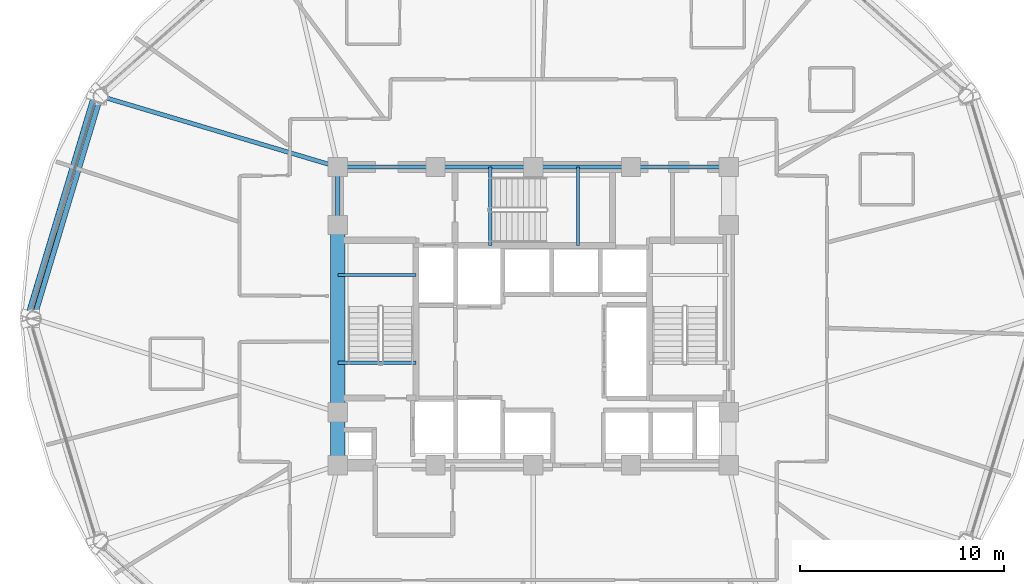
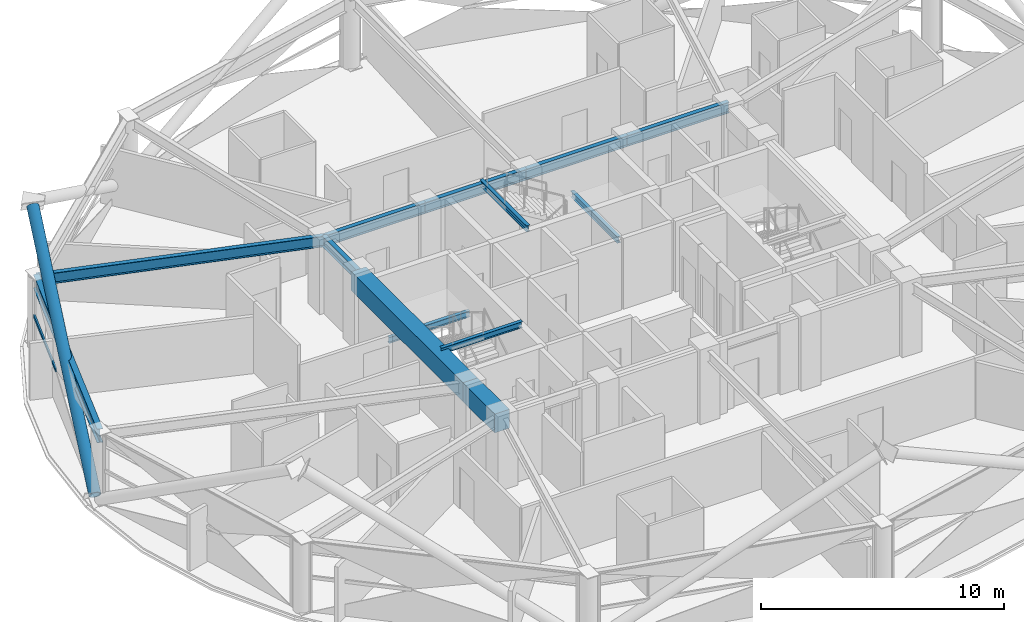
# One storey, part 7 of 29: 13 beams, 2 members, 1 element without a shape of its own.
"""IFC4 building model written with IfcOpenShell, lengths in metres."""

from ifc_helpers import new_model, si_unit, direction, frame, origin, origin_2d, place, context, subcontext, project, spatial, rectangle, hollow_rectangle, hollow_circle, i_section, extrude, material, layer, layer_set, material_profile, profile_set, type_object, element, aggregate, save


model = new_model("IFC4")

# Units and contexts
model_context = context("Model", 3, precision=1e-05, world=origin(), true_north=direction((0.0, 1.0)))
body_context = subcontext(model_context, "Body", "Model", "MODEL_VIEW")
ifc_project = project(units=[si_unit("LENGTHUNIT", "METRE"), si_unit("AREAUNIT", "SQUARE_METRE"), si_unit("VOLUMEUNIT", "CUBIC_METRE"), si_unit("PLANEANGLEUNIT", "RADIAN"), si_unit("MASSUNIT", "GRAM", prefix="KILO")], contexts=[model_context])

# Site, building, storey
site_placement = place(None, origin())
site = spatial("IfcSite", under=ifc_project, at=site_placement, CompositionType="ELEMENT")
building_placement = place(site_placement, origin())
building = spatial("IfcBuilding", under=site, at=building_placement, Name="Vantalir Tower", CompositionType="ELEMENT")
storey_placement = place(building_placement, frame((0.0, 0.0, 164.699951171875)))
storey = spatial("IfcBuildingStorey", under=building, at=storey_placement, Name="L41", CompositionType="ELEMENT", Elevation=164.699951171875)

# Beams
ifc_material_1 = material(Name="Concrete C60/75", Category="concrete")
ifc_material_profile_1 = material_profile(ifc_material_1, rectangle(XDim=0.699951171875, YDim=0.949951171875, at=origin_2d()), Name="Concrete C60/75")
ifc_profile_set_1 = profile_set([ifc_material_profile_1], Name="Concrete C60/75")
beam_type_1 = type_object("IfcBeamType", Name="BM-CB-700x950", PredefinedType="USERDEFINED", material=ifc_profile_set_1)
beam_1_placement = place(storey_placement, frame((21.89990234375, 29.60009765625, 3.094970703125), z_axis=(0.0, -1.0, 0.0), x_axis=(1.0, 0.0, 0.0)))
element("IfcBeam", 1, at=beam_1_placement, inside=storey, type_object=beam_type_1, Name="L41 Core Coupling Girder 13", ObjectType="GIRDER", PredefinedType="USERDEFINED", context=body_context, shape_type="SweptSolid", body=[
    extrude(rectangle(XDim=0.699951171875, YDim=0.949951171875, at=origin_2d()), origin(), (0.0, 0.0, 1.0), 9.2001953125),
])
beam_2_placement = place(storey_placement, frame((21.89990234375, 20.39990234375, 3.094970703125), z_axis=(0.0, -1.0, 0.0), x_axis=(1.0, 0.0, 0.0)))
element("IfcBeam", 2, at=beam_2_placement, inside=storey, type_object=beam_type_1, Name="L41 Core Coupling Girder 14", ObjectType="GIRDER", PredefinedType="USERDEFINED", context=body_context, shape_type="SweptSolid", body=[
    extrude(rectangle(XDim=0.699951171875, YDim=0.949951171875, at=origin_2d()), origin(), (0.0, 0.0, 1.0), 2.599853515625),
])
ifc_material_2 = material(Name="Steel S355", Category="steel")
ifc_material_profile_2 = material_profile(ifc_material_2, i_section(OverallWidth=0.166015625, OverallDepth=0.306884765625, WebThickness=0.006591796875, FlangeThickness=0.01171875, at=origin_2d()), Name="Steel S355")
ifc_profile_set_2 = profile_set([ifc_material_profile_2], Name="Steel S355")
beam_type_2 = type_object("IfcBeamType", Name="BM-JS-305x165", PredefinedType="JOIST", material=ifc_profile_set_2)
for number, where, z_axis, x_axis, name in (
    (3, (21.89990234375, 22.8349609375, 3.595947265625), (1.0, 0.0, 0.0), (0.0, 1.0, 0.0), "L42 Stair ST1 Well Nosing Trimmer Beam"),
    (4, (21.89990234375, 27.14501953125, 1.52197265625), (1.0, 0.0, 0.0), (0.0, 1.0, 0.0), "L41 Stair ST1 Half-Landing Support Beam"),
):
    element("IfcBeam", number, at=place(storey_placement, frame(where, z_axis=z_axis, x_axis=x_axis)), inside=storey, type_object=beam_type_2, Name=name, PredefinedType="JOIST", context=body_context, shape_type="SweptSolid", body=[
        extrude(i_section(OverallWidth=0.166015625, OverallDepth=0.306884765625, WebThickness=0.006591796875, FlangeThickness=0.01171875, at=origin_2d()), origin(), (0.0, 0.0, 1.0), 3.840087890625),
    ])
for number, where, z_axis, x_axis, name in (
    (5, (29.385009765625, 28.60009765625, 3.595947265625), (0.0, 1.0, 0.0), (-1.0, 0.0, 0.0), "L42 Stair ST3 Well Nosing Trimmer Beam"),
    (6, (33.695068359375, 28.60009765625, 1.52197265625), (0.0, 1.0, 0.0), (-1.0, 0.0, 0.0), "L41 Stair ST3 Half-Landing Support Beam"),
):
    element("IfcBeam", number, at=place(storey_placement, frame(where, z_axis=z_axis, x_axis=x_axis)), inside=storey, type_object=beam_type_2, Name=name, PredefinedType="JOIST", context=body_context, shape_type="SweptSolid", body=[
        extrude(i_section(OverallWidth=0.166015625, OverallDepth=0.306884765625, WebThickness=0.006591796875, FlangeThickness=0.01171875, at=origin_2d()), origin(), (0.0, 0.0, 1.0), 3.849853515625),
    ])
ifc_material_profile_3 = material_profile(ifc_material_2, i_section(OverallWidth=0.2109375, OverallDepth=0.5390625, WebThickness=0.01171875, FlangeThickness=0.018798828125, at=origin_2d()), Name="Steel S355")
ifc_profile_set_3 = profile_set([ifc_material_profile_3], Name="Steel S355")
beam_type_3 = type_object("IfcBeamType", Name="BM-RB-533x210", PredefinedType="BEAM", material=ifc_profile_set_3)
for number, where, z_axis, x_axis, name in (
    (7, (41.10009765625, 32.449951171875, 3.301025390625), (-1.0, 0.0, 0.0), (0.0, -1.0, 0.0), "L41 Core Coupling Girder 08"),
    (8, (36.300048828125, 32.449951171875, 3.301025390625), (-1.0, 0.0, 0.0), (0.0, -1.0, 0.0), "L41 Core Coupling Girder 09"),
    (9, (31.5, 32.449951171875, 3.301025390625), (-1.0, 0.0, 0.0), (0.0, -1.0, 0.0), "L41 Core Coupling Girder 10"),
    (10, (26.699951171875, 32.449951171875, 3.301025390625), (-1.0, 0.0, 0.0), (0.0, -1.0, 0.0), "L41 Core Coupling Girder 11"),
):
    element("IfcBeam", number, at=place(storey_placement, frame(where, z_axis=z_axis, x_axis=x_axis)), inside=storey, type_object=beam_type_3, Name=name, PredefinedType="BEAM", context=body_context, shape_type="SweptSolid", body=[
        extrude(i_section(OverallWidth=0.2109375, OverallDepth=0.5390625, WebThickness=0.01171875, FlangeThickness=0.018798828125, at=origin_2d()), origin(), (0.0, 0.0, 1.0), 4.800048828125),
    ])
beam_3_placement = place(storey_placement, frame((21.89990234375, 32.449951171875, 3.301025390625), z_axis=(0.0, -1.0, 0.0), x_axis=(1.0, 0.0, 0.0)))
element("IfcBeam", 11, at=beam_3_placement, inside=storey, type_object=beam_type_3, Name="L41 Core Coupling Girder 12", PredefinedType="BEAM", context=body_context, shape_type="SweptSolid", body=[
    extrude(i_section(OverallWidth=0.2109375, OverallDepth=0.5390625, WebThickness=0.01171875, FlangeThickness=0.018798828125, at=origin_2d()), origin(), (0.0, 0.0, 1.0), 2.849853515625),
])
beam_4_placement = place(storey_placement, frame((10.2509765625, 35.924072265625, 3.301025390625), z_axis=(0.958290462824, -0.285796061659, 0.0), x_axis=(0.285796061659, 0.958290462824, 0.0)))
element("IfcBeam", 12, at=beam_4_placement, inside=storey, type_object=beam_type_3, Name="L41 Radial Floor Beam 06", PredefinedType="BEAM", context=body_context, shape_type="SweptSolid", body=[
    extrude(i_section(OverallWidth=0.2109375, OverallDepth=0.5390625, WebThickness=0.01171875, FlangeThickness=0.018798828125, at=origin_2d()), origin(), (0.0, 0.0, 1.0), 12.156005859375),
])
ifc_material_3 = material(Name="Steel S460", Category="steel")
ifc_material_profile_4 = material_profile(ifc_material_3, i_section(OverallWidth=0.256103515625, OverallDepth=0.693115234375, WebThickness=0.014404296875, FlangeThickness=0.023681640625, at=origin_2d()), Name="Steel S460")
ifc_profile_set_4 = profile_set([ifc_material_profile_4], Name="Steel S460")
beam_type_4 = type_object("IfcBeamType", Name="BM-RG-686x254", PredefinedType="USERDEFINED", material=ifc_profile_set_4)
beam_5_placement = place(storey_placement, frame((10.2509765625, 35.924072265625, 3.22412109375), z_axis=(-0.288123336704, -0.957593307645, 0.0), x_axis=(0.957593307645, -0.288123336704, 0.0)))
element("IfcBeam", 13, at=beam_5_placement, inside=storey, type_object=beam_type_4, Name="L41 Circumferential Ring Girder 06", ObjectType="GIRDER", PredefinedType="USERDEFINED", context=body_context, shape_type="SweptSolid", body=[
    extrude(i_section(OverallWidth=0.256103515625, OverallDepth=0.693115234375, WebThickness=0.014404296875, FlangeThickness=0.023681640625, at=origin_2d()), origin(), (0.0, 0.0, 1.0), 11.407958984375),
])

# Curtain wall, member
ifc_material_4 = material(Name="Champagne-silver PVDF aluminium and double-silver Low-E glass", Category="aluminium")
ifc_layer = layer(ifc_material_4, 0.199951171875)
ifc_layer_set = layer_set([ifc_layer], Name="Champagne-silver PVDF aluminium and double-silver Low-E glass")
curtain_wall_type = type_object("IfcCurtainWallType", Name="CW-DIAMOND-Z2", PredefinedType="USERDEFINED", material=ifc_layer_set)
curtain_wall_placement = place(storey_placement, origin())
curtain_wall = element("IfcCurtainWall", 14, at=curtain_wall_placement, inside=storey, type_object=curtain_wall_type, Name="L41 Quilted Pyramid-Diamond Curtain Wall S06", ObjectType="UNITISED CURTAIN WALL", PredefinedType="USERDEFINED")
ifc_material_5 = material(Name="Champagne-silver PVDF aluminium 6063-T6", Category="aluminium")
ifc_material_profile_5 = material_profile(ifc_material_5, hollow_rectangle(XDim=0.074951171875, YDim=0.159912109375, WallThickness=0.00390625, at=origin_2d()), Name="Champagne-silver PVDF aluminium 6063-T6")
ifc_profile_set_5 = profile_set([ifc_material_profile_5], Name="Champagne-silver PVDF aluminium 6063-T6")
member_type_1 = type_object("IfcMemberType", Name="CWT-160x75", PredefinedType="USERDEFINED", material=ifc_profile_set_5)
member_1_placement = place(storey_placement, frame((9.9599609375, 35.597900390625, 1.78515625), z_axis=(-0.293431596658, -0.955980072011, 0.0), x_axis=(0.955980072011, -0.293431596658, 0.0)))
member_1 = element("IfcMember", 15, at=member_1_placement, type_object=member_type_1, Name="CW-L41-S06 Pyramid Fold Ridge Transom", ObjectType="TRANSOM", PredefinedType="USERDEFINED", context=body_context, shape_type="SweptSolid", body=[
    extrude(hollow_rectangle(XDim=0.074951171875, YDim=0.159912109375, WallThickness=0.00390625, at=origin_2d()), origin(), (0.0, 0.0, 1.0), 4.03857421875),
])
aggregate(curtain_wall, [member_1])

# Member
ifc_material_profile_6 = material_profile(ifc_material_3, hollow_circle(Radius=0.260009765625, WallThickness=0.0380859375, at=origin_2d()), Name="Steel S460")
ifc_profile_set_6 = profile_set([ifc_material_profile_6], Name="Steel S460")
member_type_2 = type_object("IfcMemberType", Name="MEM-DB-520x38", PredefinedType="BRACE", material=ifc_profile_set_6)
member_2_placement = place(storey_placement, frame((6.827880859375, 25.178955078125, 0.196044921875), z_axis=(0.244435254211, 0.813071197508, 0.528362218826), x_axis=(-0.957659533198, 0.287903140786, 0.0)))
element("IfcMember", 16, at=member_2_placement, inside=storey, type_object=member_type_2, Name="L41 Perimeter S460 Diagrid Brace R19R", PredefinedType="BRACE", context=body_context, shape_type="SweptSolid", body=[
    extrude(hollow_circle(Radius=0.260009765625, WallThickness=0.0380859375, at=origin_2d()), origin(), (0.0, 0.0, 1.0), 13.112060546875),
])

save(model, "model.ifc")
